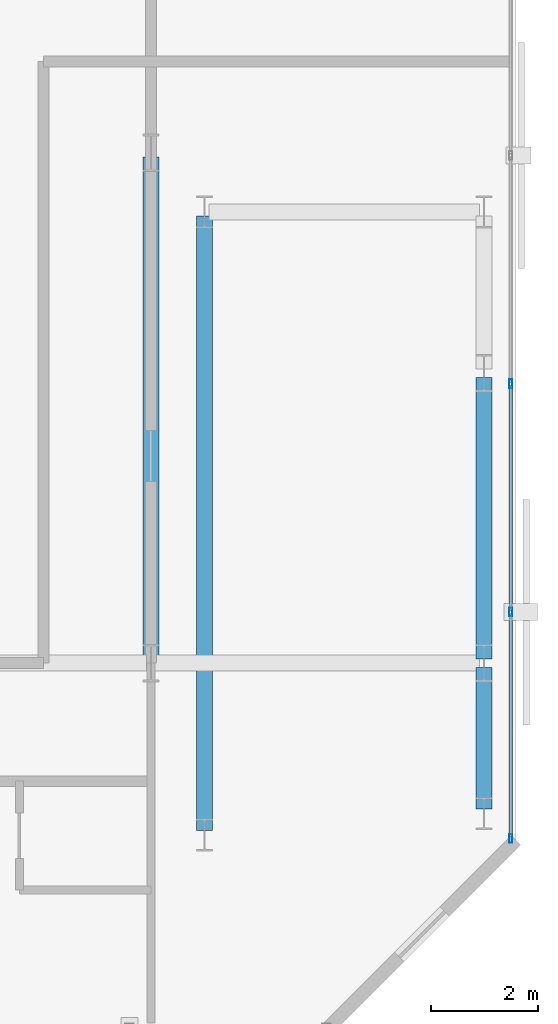
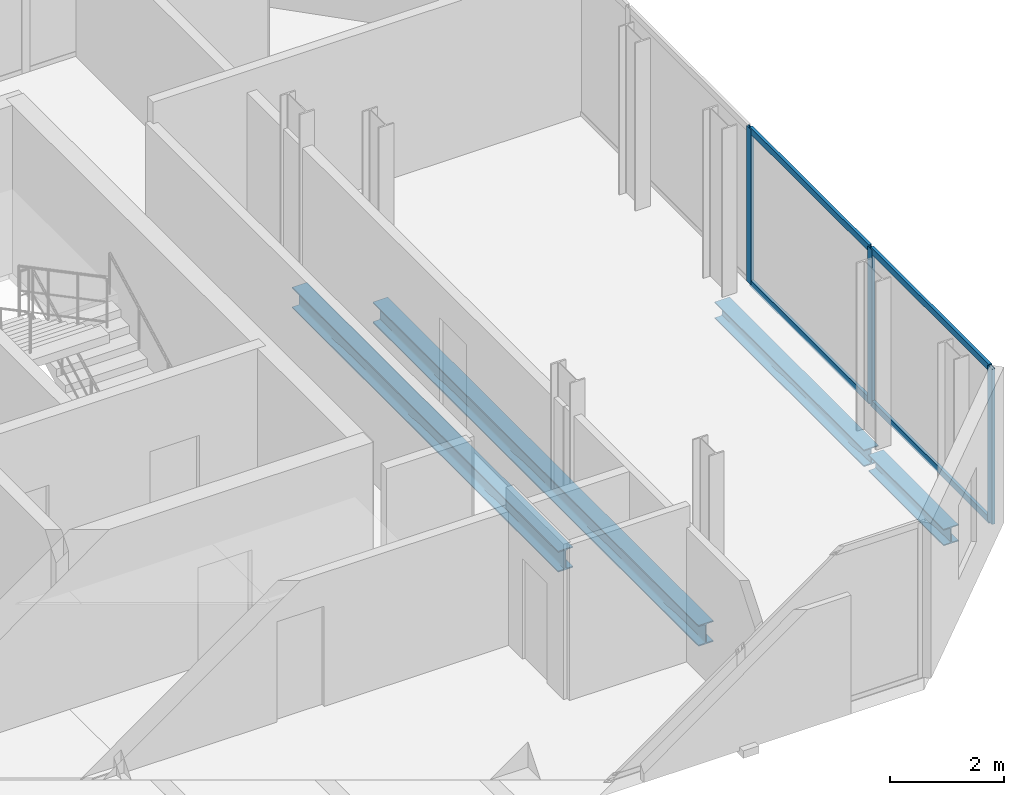
# One storey, part 16 of 32: 7 members, 4 beams, 1 element without a shape of its own.
"""IFC4 building model written with IfcOpenShell, lengths in metres."""

from ifc_helpers import new_model, si_unit, direction, frame, origin, origin_2d, place, context, subcontext, project, spatial, hollow_rectangle, i_section, extrude, material, layer, layer_set, material_profile, profile_set, type_object, element, aggregate, save


model = new_model("IFC4")

# Units and contexts
model_context = context("Model", 3, precision=1e-05, world=origin(), true_north=direction((0.0, 1.0)))
body_context = subcontext(model_context, "Body", "Model", "MODEL_VIEW")
ifc_project = project(units=[si_unit("LENGTHUNIT", "METRE"), si_unit("AREAUNIT", "SQUARE_METRE"), si_unit("VOLUMEUNIT", "CUBIC_METRE"), si_unit("PLANEANGLEUNIT", "RADIAN"), si_unit("MASSUNIT", "GRAM", prefix="KILO")], contexts=[model_context])

# Site, building, storey
site_placement = place(None, origin())
site = spatial("IfcSite", under=ifc_project, at=site_placement, CompositionType="ELEMENT")
building_placement = place(site_placement, origin())
building = spatial("IfcBuilding", under=site, at=building_placement, Name="Catumbela Crestline Tower", CompositionType="ELEMENT")
storey_placement = place(building_placement, frame((0.0, 0.0, 122.4)))
storey = spatial("IfcBuildingStorey", under=building, at=storey_placement, Name="L31", CompositionType="ELEMENT", Elevation=122.4)

# Beams
ifc_material_1 = material(Name="Structural steel S355J2", Category="steel")
ifc_material_profile_1 = material_profile(ifc_material_1, i_section(OverallWidth=0.3, OverallDepth=0.45, WebThickness=0.014, FlangeThickness=0.026, FilletRadius=0.027, at=origin_2d()), Name="HEB 450")
ifc_profile_set_1 = profile_set([ifc_material_profile_1], Name="Structural steel S355J2")
beam_type_1 = type_object("IfcBeamType", Name="BG-HEB450", PredefinedType="BEAM", material=ifc_profile_set_1)
beam_1_placement = place(storey_placement, frame((44.2, 30.88, -0.485), z_axis=(0.0, 1.0, 0.0), x_axis=(-1.0, 0.0, 0.0)))
element("IfcBeam", 1, at=beam_1_placement, inside=storey, type_object=beam_type_1, Name="L31 Beam BM-L31-SN32", PredefinedType="BEAM", context=body_context, shape_type="SweptSolid", body=[
    extrude(i_section(OverallWidth=0.3, OverallDepth=0.45, WebThickness=0.014, FlangeThickness=0.026, FilletRadius=0.027, at=origin_2d()), origin(), (0.0, 0.0, 1.0), 9.34),
])
beam_2_placement = place(storey_placement, frame((45.2, 27.68, -0.485), z_axis=(0.0, 1.0, 0.0), x_axis=(-1.0, 0.0, 0.0)))
element("IfcBeam", 2, at=beam_2_placement, inside=storey, type_object=beam_type_1, Name="L31 Beam BM-L31-SN33", PredefinedType="BEAM", context=body_context, shape_type="SweptSolid", body=[
    extrude(i_section(OverallWidth=0.3, OverallDepth=0.45, WebThickness=0.014, FlangeThickness=0.026, FilletRadius=0.027, at=origin_2d()), origin(), (0.0, 0.0, 1.0), 11.44),
])

# Curtain wall, members
ifc_material_2 = material(Name="Aluminium alloy AW-6060-T66", Category="aluminium")
ifc_layer = layer(ifc_material_2, 0.18, Name="Aluminium alloy AW-6060-T66")
ifc_layer_set = layer_set([ifc_layer], Name="Aluminium alloy AW-6060-T66")
curtain_wall_type = type_object("IfcCurtainWallType", Name="CWU-Z2", PredefinedType="USERDEFINED", material=ifc_layer_set)
curtain_wall_placement = place(storey_placement, origin())
curtain_wall = element("IfcCurtainWall", 3, at=curtain_wall_placement, inside=storey, type_object=curtain_wall_type, Name="L31 Unitised Curtain Wall CW-L31-E5S1", ObjectType="UNITISED", PredefinedType="USERDEFINED")
ifc_material_profile_2 = material_profile(ifc_material_2, hollow_rectangle(XDim=0.06, YDim=0.16, WallThickness=0.004, at=origin_2d()), Name="ALU 160x60x4")
ifc_profile_set_2 = profile_set([ifc_material_profile_2], Name="Aluminium alloy AW-6060-T66")
member_type_1 = type_object("IfcMemberType", Name="MUL-160X60", PredefinedType="MULLION", material=ifc_profile_set_2)
member_1_placement = place(storey_placement, frame((50.9, 27.5325, 0.0), z_axis=(0.0, 0.0, 1.0), x_axis=(-1.0, 0.0, 0.0)))
member_1 = element("IfcMember", 4, at=member_1_placement, type_object=member_type_1, Name="CWU-Z2 mullion 1", PredefinedType="MULLION", context=body_context, shape_type="SweptSolid", body=[
    extrude(hollow_rectangle(XDim=0.06, YDim=0.16, WallThickness=0.004, at=origin_2d()), origin(), (0.0, 0.0, 1.0), 3.33),
])
member_2_placement = place(storey_placement, frame((50.9, 31.75, 0.0), z_axis=(0.0, 0.0, 1.0), x_axis=(-1.0, 0.0, 0.0)))
member_2 = element("IfcMember", 5, at=member_2_placement, type_object=member_type_1, Name="CWU-Z2 mullion 2", PredefinedType="MULLION", context=body_context, shape_type="SweptSolid", body=[
    extrude(hollow_rectangle(XDim=0.06, YDim=0.16, WallThickness=0.004, at=origin_2d()), origin(), (0.0, 0.0, 1.0), 3.33),
])
member_3_placement = place(storey_placement, frame((50.9, 36.0, 0.0), z_axis=(0.0, 0.0, 1.0), x_axis=(-1.0, 0.0, 0.0)))
member_3 = element("IfcMember", 6, at=member_3_placement, type_object=member_type_1, Name="CWU-Z2 mullion 3", PredefinedType="MULLION", context=body_context, shape_type="SweptSolid", body=[
    extrude(hollow_rectangle(XDim=0.06, YDim=0.16, WallThickness=0.004, at=origin_2d()), origin(), (0.0, 0.0, 1.0), 3.33),
])

# Beams
ifc_material_profile_3 = material_profile(ifc_material_1, i_section(OverallWidth=0.3, OverallDepth=0.36, WebThickness=0.0125, FlangeThickness=0.0225, FilletRadius=0.027, at=origin_2d()), Name="HEB 360")
ifc_profile_set_3 = profile_set([ifc_material_profile_3], Name="Structural steel S355J2")
beam_type_2 = type_object("IfcBeamType", Name="BS-HEB360", PredefinedType="SPANDREL", material=ifc_profile_set_3)
beam_3_placement = place(storey_placement, frame((50.4, 28.08, -0.44), z_axis=(0.0, 1.0, 0.0), x_axis=(-1.0, 0.0, 0.0)))
element("IfcBeam", 7, at=beam_3_placement, inside=storey, type_object=beam_type_2, Name="L31 Spandrel SP-L31-SN34", PredefinedType="SPANDREL", context=body_context, shape_type="SweptSolid", body=[
    extrude(i_section(OverallWidth=0.3, OverallDepth=0.36, WebThickness=0.0125, FlangeThickness=0.0225, FilletRadius=0.027, at=origin_2d()), origin(), (0.0, 0.0, 1.0), 2.64),
])
beam_4_placement = place(storey_placement, frame((50.4, 30.88, -0.44), z_axis=(0.0, 1.0, 0.0), x_axis=(-1.0, 0.0, 0.0)))
element("IfcBeam", 8, at=beam_4_placement, inside=storey, type_object=beam_type_2, Name="L31 Spandrel SP-L31-SN35", PredefinedType="SPANDREL", context=body_context, shape_type="SweptSolid", body=[
    extrude(i_section(OverallWidth=0.3, OverallDepth=0.36, WebThickness=0.0125, FlangeThickness=0.0225, FilletRadius=0.027, at=origin_2d()), origin(), (0.0, 0.0, 1.0), 5.24),
])

# Member
ifc_material_profile_4 = material_profile(ifc_material_2, hollow_rectangle(XDim=0.06, YDim=0.14, WallThickness=0.004, at=origin_2d()), Name="ALU 140x60x4")
ifc_profile_set_4 = profile_set([ifc_material_profile_4], Name="Aluminium alloy AW-6060-T66")
member_type_2 = type_object("IfcMemberType", Name="TRN-140X60", PredefinedType="USERDEFINED", material=ifc_profile_set_4)
member_4_placement = place(storey_placement, frame((50.9, 27.565, 0.03), z_axis=(0.0, 1.0, 0.0), x_axis=(-1.0, 0.0, 0.0)))
member_4 = element("IfcMember", 9, at=member_4_placement, type_object=member_type_2, Name="CWU-Z2 transom 1.1", ObjectType="TRANSOM", PredefinedType="USERDEFINED", context=body_context, shape_type="SweptSolid", body=[
    extrude(hollow_rectangle(XDim=0.06, YDim=0.14, WallThickness=0.004, at=origin_2d()), origin(), (0.0, 0.0, 1.0), 4.1525),
])

member_5_placement = place(storey_placement, frame((50.9, 27.565, 3.3), z_axis=(0.0, 1.0, 0.0), x_axis=(-1.0, 0.0, 0.0)))
member_5 = element("IfcMember", 10, at=member_5_placement, type_object=member_type_2, Name="CWU-Z2 transom 1.2", ObjectType="TRANSOM", PredefinedType="USERDEFINED", context=body_context, shape_type="SweptSolid", body=[
    extrude(hollow_rectangle(XDim=0.06, YDim=0.14, WallThickness=0.004, at=origin_2d()), origin(), (0.0, 0.0, 1.0), 4.1525),
])

member_6_placement = place(storey_placement, frame((50.9, 31.7825, 0.03), z_axis=(0.0, 1.0, 0.0), x_axis=(-1.0, 0.0, 0.0)))
member_6 = element("IfcMember", 11, at=member_6_placement, type_object=member_type_2, Name="CWU-Z2 transom 2.1", ObjectType="TRANSOM", PredefinedType="USERDEFINED", context=body_context, shape_type="SweptSolid", body=[
    extrude(hollow_rectangle(XDim=0.06, YDim=0.14, WallThickness=0.004, at=origin_2d()), origin(), (0.0, 0.0, 1.0), 4.185),
])

member_7_placement = place(storey_placement, frame((50.9, 31.7825, 3.3), z_axis=(0.0, 1.0, 0.0), x_axis=(-1.0, 0.0, 0.0)))
member_7 = element("IfcMember", 12, at=member_7_placement, type_object=member_type_2, Name="CWU-Z2 transom 2.2", ObjectType="TRANSOM", PredefinedType="USERDEFINED", context=body_context, shape_type="SweptSolid", body=[
    extrude(hollow_rectangle(XDim=0.06, YDim=0.14, WallThickness=0.004, at=origin_2d()), origin(), (0.0, 0.0, 1.0), 4.185),
])

aggregate(curtain_wall, [member_1, member_2, member_3, member_4, member_5, member_6, member_7])

save(model, "model.ifc")
